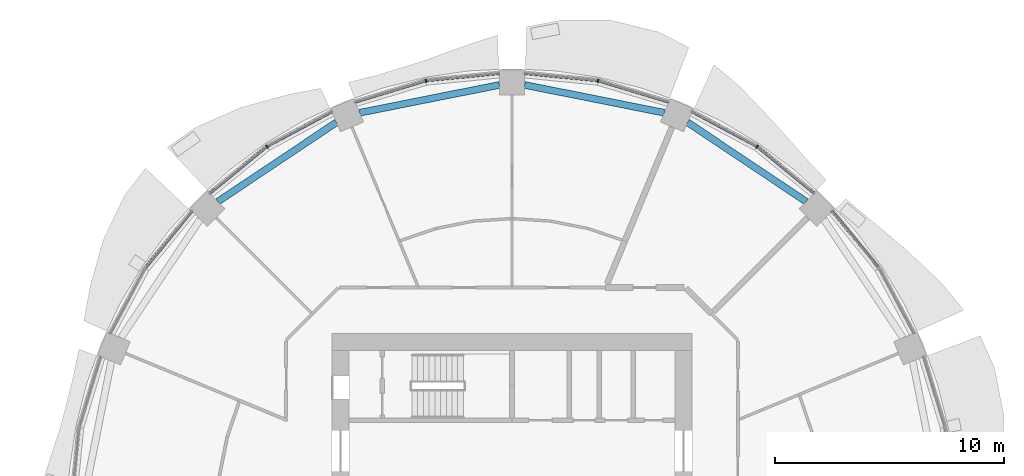
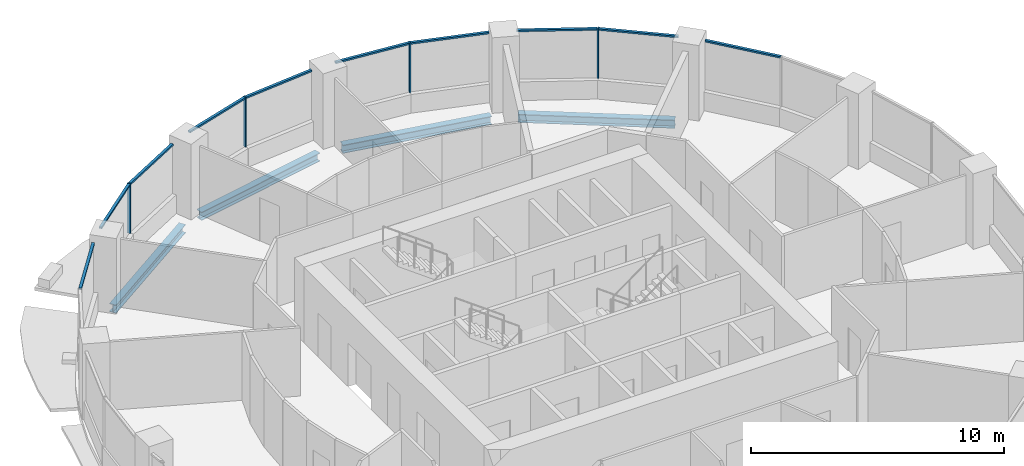
# One storey, part 6 of 15: 14 members, 4 beams, 6 elements without a shape of their own.
"""IFC4 building model written with IfcOpenShell, lengths in metres."""

from ifc_helpers import new_model, si_unit, direction, frame, origin, origin_2d, place, context, subcontext, project, spatial, rectangle, i_section, extrude, material, material_profile, profile_set, type_object, element, aggregate, save


model = new_model("IFC4")

# Units and contexts
model_context = context("Model", 3, precision=1e-05, world=origin(), true_north=direction((0.0, 1.0)))
body_context = subcontext(model_context, "Body", "Model", "MODEL_VIEW")
ifc_project = project(units=[si_unit("LENGTHUNIT", "METRE"), si_unit("AREAUNIT", "SQUARE_METRE"), si_unit("VOLUMEUNIT", "CUBIC_METRE"), si_unit("PLANEANGLEUNIT", "RADIAN"), si_unit("MASSUNIT", "GRAM", prefix="KILO")], contexts=[model_context])

# Site, building, storey
site_placement = place(None, origin())
site = spatial("IfcSite", under=ifc_project, at=site_placement, CompositionType="ELEMENT")
building_placement = place(site_placement, origin())
building = spatial("IfcBuilding", under=site, at=building_placement, Name="Polderwave Tower", CompositionType="ELEMENT")
storey_placement = place(building_placement, frame((0.0, 0.0, 72.75)))
storey = spatial("IfcBuildingStorey", under=building, at=storey_placement, Name="L18", CompositionType="ELEMENT", Elevation=72.75)

# Curtain wall, member
ifc_material_1 = material(Name="Aluminium 6063-T6 and glass", Category="aluminium")
curtain_wall_type = type_object("IfcCurtainWallType", Name="Growing floor ribbon glazing wall", PredefinedType="NOTDEFINED", material=ifc_material_1)
curtain_wall_1_placement = place(storey_placement, origin())
curtain_wall_1 = element("IfcCurtainWall", 1, at=curtain_wall_1_placement, inside=storey, type_object=curtain_wall_type, Name="CW2 L18 02", PredefinedType="NOTDEFINED")
ifc_material_2 = material(Name="Aluminium 6063-T6", Category="aluminium")
ifc_material_profile_1 = material_profile(ifc_material_2, rectangle(XDim=0.14990234375, YDim=0.06005859375, at=origin_2d()), Name="AL 60x150")
ifc_profile_set_1 = profile_set([ifc_material_profile_1], Name="Aluminium 6063-T6")
member_type_1 = type_object("IfcMemberType", Name="Growing floor ribbon glazing mullion 60x150", PredefinedType="MULLION", material=ifc_profile_set_1)
member_1_placement = place(storey_placement, frame((10.717041015625, 16.0390625, 0.89990234375), z_axis=(0.0, 0.0, 1.0), x_axis=(-0.555496220219, -0.831519061311, 0.0)))
member_1 = element("IfcMember", 2, at=member_1_placement, type_object=member_type_1, Name="CW2 mullion 1", PredefinedType="MULLION", context=body_context, shape_type="SweptSolid", body=[
    extrude(rectangle(XDim=0.14990234375, YDim=0.06005859375, at=origin_2d()), origin(), (0.0, 0.0, 1.0), 2.400146484375),
])

curtain_wall_2_placement = place(storey_placement, origin())
curtain_wall_2 = element("IfcCurtainWall", 3, at=curtain_wall_2_placement, inside=storey, type_object=curtain_wall_type, Name="CW2 L18 03", PredefinedType="NOTDEFINED")
member_2_placement = place(storey_placement, frame((3.762939453125, 18.9189453125, 0.89990234375), z_axis=(0.0, 0.0, 1.0), x_axis=(-0.19512284598, -0.980778810424, 0.0)))
member_2 = element("IfcMember", 4, at=member_2_placement, type_object=member_type_1, Name="CW2 mullion 1", PredefinedType="MULLION", context=body_context, shape_type="SweptSolid", body=[
    extrude(rectangle(XDim=0.14990234375, YDim=0.06005859375, at=origin_2d()), origin(), (0.0, 0.0, 1.0), 2.400146484375),
])

curtain_wall_3_placement = place(storey_placement, origin())
curtain_wall_3 = element("IfcCurtainWall", 5, at=curtain_wall_3_placement, inside=storey, type_object=curtain_wall_type, Name="CW2 L18 04", PredefinedType="NOTDEFINED")
member_3_placement = place(storey_placement, frame((-3.762939453125, 18.9189453125, 0.89990234375), z_axis=(0.0, 0.0, 1.0), x_axis=(0.19512284598, -0.980778810424, 0.0)))
member_3 = element("IfcMember", 6, at=member_3_placement, type_object=member_type_1, Name="CW2 mullion 1", PredefinedType="MULLION", context=body_context, shape_type="SweptSolid", body=[
    extrude(rectangle(XDim=0.14990234375, YDim=0.06005859375, at=origin_2d()), origin(), (0.0, 0.0, 1.0), 2.400146484375),
])

curtain_wall_4_placement = place(storey_placement, origin())
curtain_wall_4 = element("IfcCurtainWall", 7, at=curtain_wall_4_placement, inside=storey, type_object=curtain_wall_type, Name="CW2 L18 05", PredefinedType="NOTDEFINED")
member_4_placement = place(storey_placement, frame((-10.717041015625, 16.0390625, 0.89990234375), z_axis=(0.0, 0.0, 1.0), x_axis=(0.555496220219, -0.831519061311, 0.0)))
member_4 = element("IfcMember", 8, at=member_4_placement, type_object=member_type_1, Name="CW2 mullion 1", PredefinedType="MULLION", context=body_context, shape_type="SweptSolid", body=[
    extrude(rectangle(XDim=0.14990234375, YDim=0.06005859375, at=origin_2d()), origin(), (0.0, 0.0, 1.0), 2.400146484375),
])

curtain_wall_5_placement = place(storey_placement, origin())
curtain_wall_5 = element("IfcCurtainWall", 9, at=curtain_wall_5_placement, inside=storey, type_object=curtain_wall_type, Name="CW2 L18 01", PredefinedType="NOTDEFINED")
ifc_material_profile_2 = material_profile(ifc_material_2, rectangle(XDim=0.1201171875, YDim=0.080078125, at=origin_2d()), Name="AL 80x120")
ifc_profile_set_2 = profile_set([ifc_material_profile_2], Name="Aluminium 6063-T6")
member_type_2 = type_object("IfcMemberType", Name="Growing floor ribbon glazing transom 80x120", PredefinedType="USERDEFINED", material=ifc_profile_set_2)
member_5_placement = place(storey_placement, frame((16.02001953125, 10.740234375, 3.260009765625), z_axis=(-0.634355209348, 0.773041698987, 0.0), x_axis=(-0.773041698987, -0.634355209348, 0.0)))
member_5 = element("IfcMember", 10, at=member_5_placement, type_object=member_type_2, Name="CW2 transom 2", ObjectType="TRANSOM", PredefinedType="USERDEFINED", context=body_context, shape_type="SweptSolid", body=[
    extrude(rectangle(XDim=0.1201171875, YDim=0.080078125, at=origin_2d()), origin(), (0.0, 0.0, 1.0), 3.198486328125),
])
aggregate(curtain_wall_5, [member_5])

# Member
member_6_placement = place(storey_placement, frame((13.212890625, 13.990966796875, 3.260009765625), z_axis=(-0.773041698987, 0.634355209348, 0.0), x_axis=(-0.634355209348, -0.773041698987, 0.0)))
member_6 = element("IfcMember", 11, at=member_6_placement, type_object=member_type_2, Name="CW2 transom 1", ObjectType="TRANSOM", PredefinedType="USERDEFINED", context=body_context, shape_type="SweptSolid", body=[
    extrude(rectangle(XDim=0.1201171875, YDim=0.080078125, at=origin_2d()), origin(), (0.0, 0.0, 1.0), 3.198486328125),
])

member_7_placement = place(storey_placement, frame((10.6904296875, 16.052978515625, 3.260009765625), z_axis=(-0.881932215645, 0.471376247819, 0.0), x_axis=(-0.471376247819, -0.881932215645, 0.0)))
member_7 = element("IfcMember", 12, at=member_7_placement, type_object=member_type_2, Name="CW2 transom 2", ObjectType="TRANSOM", PredefinedType="USERDEFINED", context=body_context, shape_type="SweptSolid", body=[
    extrude(rectangle(XDim=0.1201171875, YDim=0.080078125, at=origin_2d()), origin(), (0.0, 0.0, 1.0), 3.19921875),
])

aggregate(curtain_wall_1, [member_1, member_6, member_7])

member_8_placement = place(storey_placement, frame((6.85302734375, 17.98193359375, 3.260009765625), z_axis=(-0.956954412848, 0.290238267171, 0.0), x_axis=(-0.290238267171, -0.956954412848, 0.0)))
member_8 = element("IfcMember", 13, at=member_8_placement, type_object=member_type_2, Name="CW2 transom 1", ObjectType="TRANSOM", PredefinedType="USERDEFINED", context=body_context, shape_type="SweptSolid", body=[
    extrude(rectangle(XDim=0.1201171875, YDim=0.080078125, at=origin_2d()), origin(), (0.0, 0.0, 1.0), 3.198974609375),
])

member_9_placement = place(storey_placement, frame((3.733154296875, 18.921875, 3.260009765625), z_axis=(-0.995163341514, 0.098234025198, 0.0), x_axis=(-0.098234025198, -0.995163341514, 0.0)))
member_9 = element("IfcMember", 14, at=member_9_placement, type_object=member_type_2, Name="CW2 transom 2", ObjectType="TRANSOM", PredefinedType="USERDEFINED", context=body_context, shape_type="SweptSolid", body=[
    extrude(rectangle(XDim=0.1201171875, YDim=0.080078125, at=origin_2d()), origin(), (0.0, 0.0, 1.0), 3.198486328125),
])

aggregate(curtain_wall_2, [member_2, member_8, member_9])

member_10_placement = place(storey_placement, frame((-0.550048828125, 19.236083984375, 3.260009765625), z_axis=(-0.995163341514, -0.098234025198, 0.0), x_axis=(0.098234025198, -0.995163341514, 0.0)))
member_10 = element("IfcMember", 15, at=member_10_placement, type_object=member_type_2, Name="CW2 transom 1", ObjectType="TRANSOM", PredefinedType="USERDEFINED", context=body_context, shape_type="SweptSolid", body=[
    extrude(rectangle(XDim=0.1201171875, YDim=0.080078125, at=origin_2d()), origin(), (0.0, 0.0, 1.0), 3.198486328125),
])

member_11_placement = place(storey_placement, frame((-3.791748046875, 18.910400390625, 3.260009765625), z_axis=(-0.956954412848, -0.290238267171, 0.0), x_axis=(0.290238267171, -0.956954412848, 0.0)))
member_11 = element("IfcMember", 16, at=member_11_placement, type_object=member_type_2, Name="CW2 transom 2", ObjectType="TRANSOM", PredefinedType="USERDEFINED", context=body_context, shape_type="SweptSolid", body=[
    extrude(rectangle(XDim=0.1201171875, YDim=0.080078125, at=origin_2d()), origin(), (0.0, 0.0, 1.0), 3.198974609375),
])

aggregate(curtain_wall_3, [member_3, member_10, member_11])

member_12_placement = place(storey_placement, frame((-7.868896484375, 17.56103515625, 3.260009765625), z_axis=(-0.881932215645, -0.471376247819, 0.0), x_axis=(0.471376247819, -0.881932215645, 0.0)))
member_12 = element("IfcMember", 17, at=member_12_placement, type_object=member_type_2, Name="CW2 transom 1", ObjectType="TRANSOM", PredefinedType="USERDEFINED", context=body_context, shape_type="SweptSolid", body=[
    extrude(rectangle(XDim=0.1201171875, YDim=0.080078125, at=origin_2d()), origin(), (0.0, 0.0, 1.0), 3.19921875),
])

member_13_placement = place(storey_placement, frame((-10.740234375, 16.02001953125, 3.260009765625), z_axis=(-0.773041698987, -0.634355209348, 0.0), x_axis=(0.634355209348, -0.773041698987, 0.0)))
member_13 = element("IfcMember", 18, at=member_13_placement, type_object=member_type_2, Name="CW2 transom 2", ObjectType="TRANSOM", PredefinedType="USERDEFINED", context=body_context, shape_type="SweptSolid", body=[
    extrude(rectangle(XDim=0.1201171875, YDim=0.080078125, at=origin_2d()), origin(), (0.0, 0.0, 1.0), 3.198486328125),
])

aggregate(curtain_wall_4, [member_4, member_12, member_13])

# Curtain wall, member
curtain_wall_6_placement = place(storey_placement, origin())
curtain_wall_6 = element("IfcCurtainWall", 19, at=curtain_wall_6_placement, inside=storey, type_object=curtain_wall_type, Name="CW2 L18 06", PredefinedType="NOTDEFINED")
member_14_placement = place(storey_placement, frame((-13.990966796875, 13.212890625, 3.260009765625), z_axis=(-0.634355209348, -0.773041698987, 0.0), x_axis=(0.773041698987, -0.634355209348, 0.0)))
member_14 = element("IfcMember", 20, at=member_14_placement, type_object=member_type_2, Name="CW2 transom 1", ObjectType="TRANSOM", PredefinedType="USERDEFINED", context=body_context, shape_type="SweptSolid", body=[
    extrude(rectangle(XDim=0.1201171875, YDim=0.080078125, at=origin_2d()), origin(), (0.0, 0.0, 1.0), 3.198486328125),
])
aggregate(curtain_wall_6, [member_14])

# Beams
ifc_material_3 = material(Name="Steel S355", Category="steel")
ifc_material_profile_3 = material_profile(ifc_material_3, i_section(OverallWidth=0.300048828125, OverallDepth=0.39990234375, WebThickness=0.013427734375, FlangeThickness=0.02392578125, at=origin_2d()), Name="HE 400 B")
ifc_profile_set_3 = profile_set([ifc_material_profile_3], Name="Steel S355")
beam_type = type_object("IfcBeamType", Name="RING BEAM HE 400 B", PredefinedType="BEAM", material=ifc_profile_set_3)
beam_1_placement = place(storey_placement, frame((12.855712890625, 13.633544921875, -0.550048828125), z_axis=(-0.831489127752, 0.555541024975, 0.0), x_axis=(-0.555541024975, -0.831489127752, 0.0)))
element("IfcBeam", 21, at=beam_1_placement, inside=storey, type_object=beam_type, Name="ST-RB-L18-02", PredefinedType="BEAM", context=body_context, shape_type="SweptSolid", body=[
    extrude(i_section(OverallWidth=0.300048828125, OverallDepth=0.39990234375, WebThickness=0.013427734375, FlangeThickness=0.02392578125, at=origin_2d()), origin(), (0.0, 0.0, 1.0), 6.2294921875),
])
for number, where, z_axis, x_axis, name in (
    (22, (6.65966796875, 17.515380859375, -0.550048828125), (-0.980783645519, 0.195098540955, 0.0), (-0.195098540955, -0.980783645519, 0.0), "ST-RB-L18-03"),
    (23, (-0.550048828125, 18.730712890625, -0.550048828125), (-0.980783645519, -0.195098540955, 0.0), (0.195098540955, -0.980783645519, 0.0), "ST-RB-L18-04"),
):
    element("IfcBeam", number, at=place(storey_placement, frame(where, z_axis=z_axis, x_axis=x_axis)), inside=storey, type_object=beam_type, Name=name, PredefinedType="BEAM", context=body_context, shape_type="SweptSolid", body=[
        extrude(i_section(OverallWidth=0.300048828125, OverallDepth=0.39990234375, WebThickness=0.013427734375, FlangeThickness=0.02392578125, at=origin_2d()), origin(), (0.0, 0.0, 1.0), 6.229248046875),
    ])
beam_2_placement = place(storey_placement, frame((-7.676025390625, 17.09423828125, -0.550048828125), z_axis=(-0.831489127752, -0.555541024975, 0.0), x_axis=(0.555541024975, -0.831489127752, 0.0)))
element("IfcBeam", 24, at=beam_2_placement, inside=storey, type_object=beam_type, Name="ST-RB-L18-05", PredefinedType="BEAM", context=body_context, shape_type="SweptSolid", body=[
    extrude(i_section(OverallWidth=0.300048828125, OverallDepth=0.39990234375, WebThickness=0.013427734375, FlangeThickness=0.02392578125, at=origin_2d()), origin(), (0.0, 0.0, 1.0), 6.2294921875),
])

save(model, "model.ifc")
